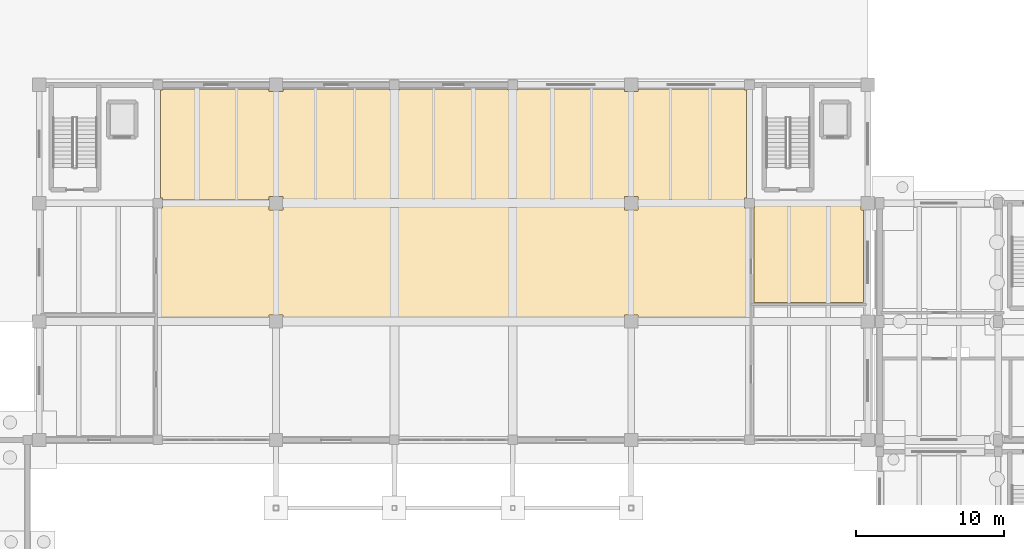
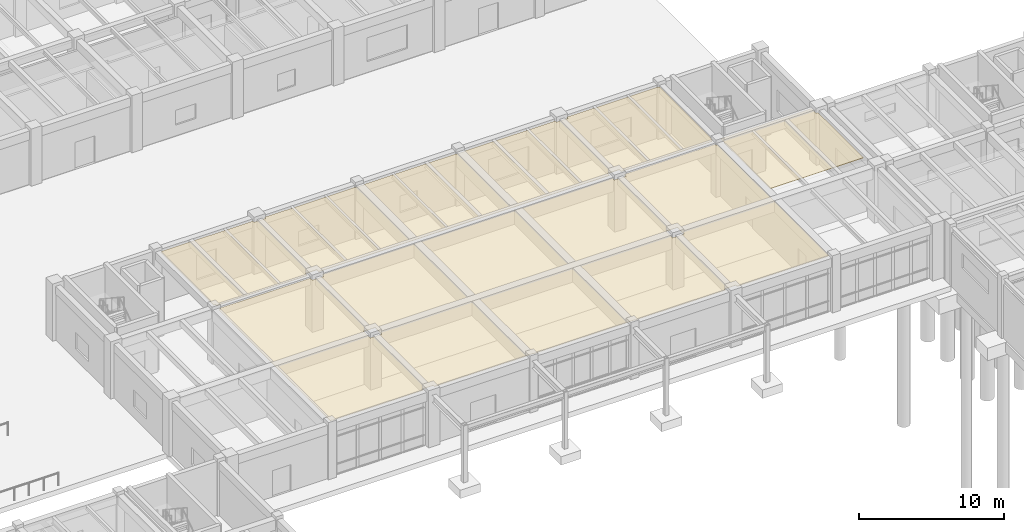
# One storey, part 53 of 64: 3 coverings.
"""IFC4 building model written with IfcOpenShell, lengths in metres."""

from ifc_helpers import new_model, si_unit, direction, frame, origin, place, context, subcontext, project, spatial, polyline, outline, extrude, material, layer, layer_set, type_object, element, save


model = new_model("IFC4")

# Units and contexts
model_context = context("Model", 3, precision=1e-05, world=origin(), true_north=direction((0.0, 1.0)))
body_context = subcontext(model_context, "Body", "Model", "MODEL_VIEW")
ifc_project = project(units=[si_unit("LENGTHUNIT", "METRE"), si_unit("AREAUNIT", "SQUARE_METRE"), si_unit("VOLUMEUNIT", "CUBIC_METRE"), si_unit("PLANEANGLEUNIT", "RADIAN"), si_unit("MASSUNIT", "GRAM", prefix="KILO")], contexts=[model_context])

# Site, building, storey
site_placement = place(None, origin())
site = spatial("IfcSite", under=ifc_project, at=site_placement, CompositionType="ELEMENT")
building_placement = place(site_placement, origin())
building = spatial("IfcBuilding", under=site, at=building_placement, Name="Tlaxcora Railside Police Headquarters", CompositionType="ELEMENT")
storey_placement = place(building_placement, origin())
storey = spatial("IfcBuildingStorey", under=building, at=storey_placement, Name="L00", CompositionType="ELEMENT", Elevation=0.0)

# Coverings
ifc_material = material(Name="Mineral-fibre acoustic ceiling tile")
ifc_layer = layer(ifc_material, 0.034912109375, Name="Mineral-fibre acoustic ceiling tile")
ifc_layer_set = layer_set([ifc_layer], Name="Mineral-fibre acoustic ceiling tile")
covering_type = type_object("IfcCoveringType", Name="Acoustic Suspended Ceiling CLG-01", PredefinedType="CEILING", material=ifc_layer_set)
covering_1_placement = place(storey_placement, frame((0.0, 0.0, 4.364990234375)))
element("IfcCovering", 1, at=covering_1_placement, inside=storey, type_object=covering_type, Name="Public Entrance Hall and Security Screening suspended ceiling", PredefinedType="CEILING", context=body_context, shape_type="SweptSolid", body=[
    extrude(outline(polyline([(54.199951171875, 51.6650390625), (54.199951171875, 36.3349609375), (54.3349609375, 36.3349609375), (54.3349609375, 36.300048828125), (61.5400390625, 36.300048828125), (61.5400390625, 36.4599609375), (62.4599609375, 36.4599609375), (62.4599609375, 36.300048828125), (69.6650390625, 36.300048828125), (69.6650390625, 36.3349609375), (70.3349609375, 36.3349609375), (70.3349609375, 36.300048828125), (77.6650390625, 36.300048828125), (77.6650390625, 36.3349609375), (78.3349609375, 36.3349609375), (78.3349609375, 36.300048828125), (85.5400390625, 36.300048828125), (85.5400390625, 36.4599609375), (86.4599609375, 36.4599609375), (86.4599609375, 36.300048828125), (93.6650390625, 36.300048828125), (93.6650390625, 36.3349609375), (93.800048828125, 36.3349609375), (93.800048828125, 51.6650390625), (93.6650390625, 51.6650390625), (93.6650390625, 51.800048828125), (86.4599609375, 51.800048828125), (86.4599609375, 51.5400390625), (85.5400390625, 51.5400390625), (85.5400390625, 51.800048828125), (62.4599609375, 51.800048828125), (62.4599609375, 51.5400390625), (61.5400390625, 51.5400390625), (61.5400390625, 51.800048828125), (54.3349609375, 51.800048828125), (54.3349609375, 51.6650390625), (54.199951171875, 51.6650390625)]), holes=[polyline([(62.4599609375, 43.5400390625), (61.5400390625, 43.5400390625), (61.5400390625, 44.4599609375), (62.4599609375, 44.4599609375), (62.4599609375, 43.5400390625)]), polyline([(85.5400390625, 43.5400390625), (85.5400390625, 44.4599609375), (86.4599609375, 44.4599609375), (86.4599609375, 43.5400390625), (85.5400390625, 43.5400390625)])]), origin(), (0.0, 0.0, 1.0), 0.034912109375),
])
covering_2_placement = place(storey_placement, frame((0.0, 0.0, 4.364990234375)))
element("IfcCovering", 2, at=covering_2_placement, inside=storey, type_object=covering_type, Name="Citizen Police Front Counter and Reporting Hall suspended ceiling", PredefinedType="CEILING", context=body_context, shape_type="SweptSolid", body=[
    extrude(outline(polyline([(54.3349609375, 52.3349609375), (54.3349609375, 52.199951171875), (61.5400390625, 52.199951171875), (61.5400390625, 52.4599609375), (62.4599609375, 52.4599609375), (62.4599609375, 52.199951171875), (85.5400390625, 52.199951171875), (85.5400390625, 52.4599609375), (86.4599609375, 52.4599609375), (86.4599609375, 52.199951171875), (93.6650390625, 52.199951171875), (93.6650390625, 52.3349609375), (93.800048828125, 52.3349609375), (93.800048828125, 59.6650390625), (93.6650390625, 59.6650390625), (93.6650390625, 59.699951171875), (86.4599609375, 59.699951171875), (86.4599609375, 59.5400390625), (85.5400390625, 59.5400390625), (85.5400390625, 59.699951171875), (78.3349609375, 59.699951171875), (78.3349609375, 59.6650390625), (77.6650390625, 59.6650390625), (77.6650390625, 59.699951171875), (70.3349609375, 59.699951171875), (70.3349609375, 59.6650390625), (69.6650390625, 59.6650390625), (69.6650390625, 59.699951171875), (62.4599609375, 59.699951171875), (62.4599609375, 59.5400390625), (61.5400390625, 59.5400390625), (61.5400390625, 59.699951171875), (54.3349609375, 59.699951171875), (54.3349609375, 59.6650390625), (54.199951171875, 59.6650390625), (54.199951171875, 52.3349609375), (54.3349609375, 52.3349609375)])), origin(), (0.0, 0.0, 1.0), 0.034912109375),
])
covering_3_placement = place(storey_placement, frame((0.0, 0.0, 4.364990234375)))
element("IfcCovering", 3, at=covering_3_placement, inside=storey, type_object=covering_type, Name="Duty Watch Commander Suite suspended ceiling", PredefinedType="CEILING", context=body_context, shape_type="SweptSolid", body=[
    extrude(outline(polyline([(94.300048828125, 51.6650390625), (94.300048828125, 45.300048828125), (101.699951171875, 45.300048828125), (101.699951171875, 51.5400390625), (101.5400390625, 51.5400390625), (101.5400390625, 52.199951171875), (94.3349609375, 52.199951171875), (94.3349609375, 51.6650390625), (94.300048828125, 51.6650390625)])), origin(), (0.0, 0.0, 1.0), 0.034912109375),
])

save(model, "model.ifc")
